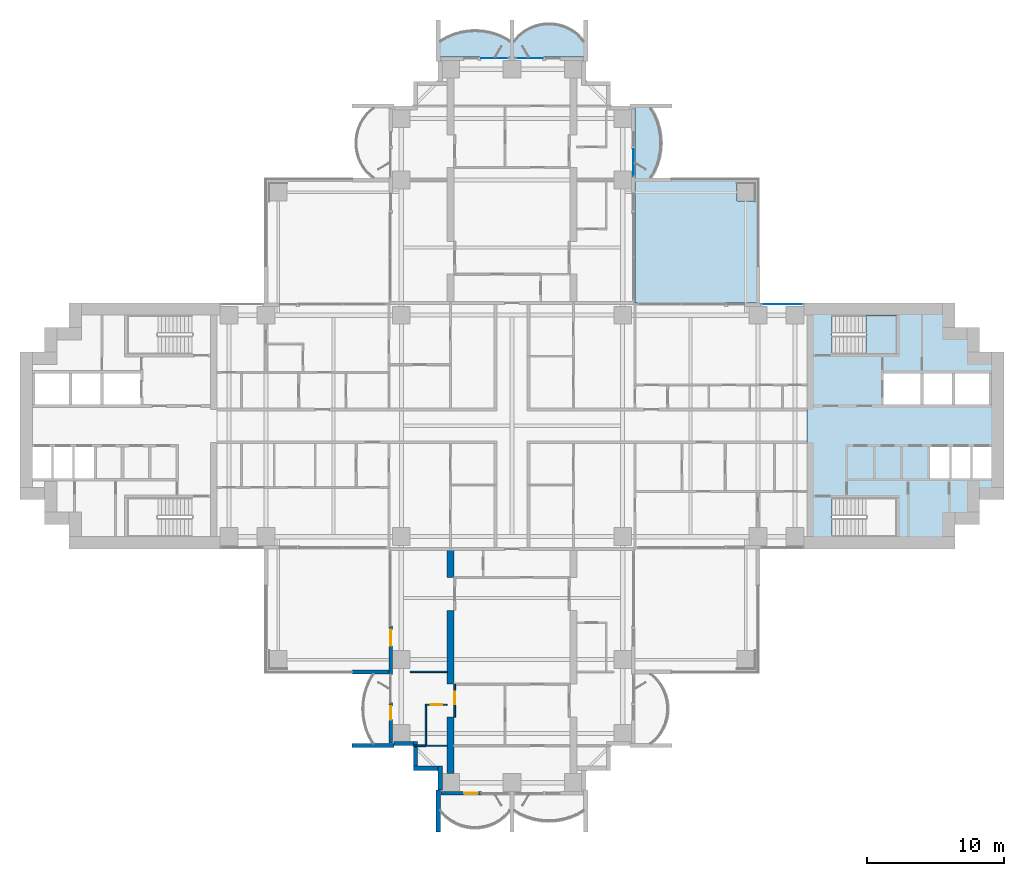
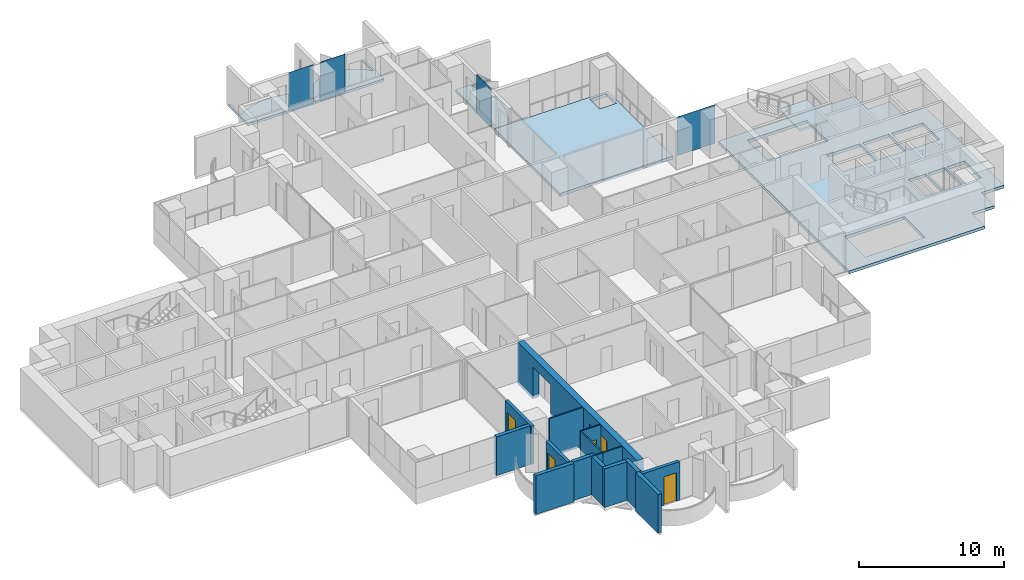
# One storey, part 9 of 21: 17 walls, 6 slabs, 5 doors, 4 plates, 5 openings, 5 elements without a shape of their own.
"""IFC4 building model written with IfcOpenShell, lengths in metres."""

from ifc_helpers import new_model, si_unit, direction, frame, frame_2d, origin, origin_2d, place, context, subcontext, project, spatial, polyline, rectangle, outline, extrude, material, layer, layer_set, material_profile, profile_set, type_object, element, fill, aggregate, save


model = new_model("IFC4")

# Units and contexts
model_context = context("Model", 3, precision=1e-05, world=origin(), true_north=direction((0.0, 1.0)))
body_context = subcontext(model_context, "Body", "Model", "MODEL_VIEW")
ifc_project = project(units=[si_unit("LENGTHUNIT", "METRE"), si_unit("AREAUNIT", "SQUARE_METRE"), si_unit("VOLUMEUNIT", "CUBIC_METRE"), si_unit("PLANEANGLEUNIT", "RADIAN"), si_unit("MASSUNIT", "GRAM", prefix="KILO")], contexts=[model_context])

# Site, building, storey
site_placement = place(None, origin())
site = spatial("IfcSite", under=ifc_project, at=site_placement, CompositionType="ELEMENT")
building_placement = place(site_placement, origin())
building = spatial("IfcBuilding", under=site, at=building_placement, Name="Perihelion Cross Residences", CompositionType="ELEMENT")
storey_placement = place(building_placement, frame((0.0, 0.0, 40.0)))
storey = spatial("IfcBuildingStorey", under=building, at=storey_placement, Name="L06", CompositionType="ELEMENT", Elevation=40.0)

# Slabs
ifc_material_1 = material(Name="Concrete C40/50", Category="concrete")
ifc_layer_1 = layer(ifc_material_1, 0.199951171875)
ifc_layer_set_1 = layer_set([ifc_layer_1], Name="Balcony slab 200")
slab_type_1 = type_object("IfcSlabType", Name="Balcony slab 200", PredefinedType="FLOOR", material=ifc_layer_set_1)
slab_1_placement = place(storey_placement, frame((0.0, 0.0, -0.199951171875)))
element("IfcSlab", 1, at=slab_1_placement, inside=storey, type_object=slab_type_1, Name="Slab BK1 L06 north side east bay 2 balcony", PredefinedType="FLOOR", context=body_context, shape_type="SweptSolid", body=[
    extrude(outline(polyline([(9.0, 18.0), (9.0, 23.39990234375), (11.699951171875, 23.39990234375), (11.699951171875, 23.25), (10.199951171875, 23.25), (10.4853515625, 22.739990234375), (10.694580078125, 22.22998046875), (10.838134765625, 21.719970703125), (10.92236328125, 21.2099609375), (10.949951171875, 20.699951171875), (10.92236328125, 20.18994140625), (10.838134765625, 19.679931640625), (10.694580078125, 19.169921875), (10.4853515625, 18.659912109375), (10.199951171875, 18.14990234375), (11.699951171875, 18.14990234375), (11.699951171875, 18.0), (9.0, 18.0)])), origin(), (0.0, 0.0, 1.0), 0.199951171875),
])
slab_2_placement = place(storey_placement, frame((0.0, 0.0, -0.199951171875)))
element("IfcSlab", 2, at=slab_2_placement, inside=storey, type_object=slab_type_1, Name="Slab BK1 L06 north tip north bay 1 balcony", PredefinedType="FLOOR", context=body_context, shape_type="SweptSolid", body=[
    extrude(outline(polyline([(5.39990234375, 27.0), (0.0, 27.0), (0.0, 29.699951171875), (0.14990234375, 29.699951171875), (0.14990234375, 28.199951171875), (0.542236328125, 28.622314453125), (0.9345703125, 28.924072265625), (1.326904296875, 29.143310546875), (1.71923828125, 29.29736328125), (2.111572265625, 29.39599609375), (2.50390625, 29.444091796875), (2.896240234375, 29.444091796875), (3.28857421875, 29.39599609375), (3.6806640625, 29.29736328125), (4.072998046875, 29.143310546875), (4.46533203125, 28.924072265625), (4.857666015625, 28.622314453125), (5.25, 28.199951171875), (5.25, 29.699951171875), (5.39990234375, 29.699951171875), (5.39990234375, 27.0)])), origin(), (0.0, 0.0, 1.0), 0.199951171875),
])
slab_3_placement = place(storey_placement, frame((0.0, 0.0, -0.199951171875)))
element("IfcSlab", 3, at=slab_3_placement, inside=storey, type_object=slab_type_1, Name="Slab BK1 L06 north tip north bay 2 balcony", PredefinedType="FLOOR", context=body_context, shape_type="SweptSolid", body=[
    extrude(outline(polyline([(0.0, 27.0), (-5.39990234375, 27.0), (-5.39990234375, 29.699951171875), (-5.25, 29.699951171875), (-5.25, 28.199951171875), (-4.739990234375, 28.4853515625), (-4.22998046875, 28.694580078125), (-3.719970703125, 28.838134765625), (-3.2099609375, 28.92236328125), (-2.699951171875, 28.949951171875), (-2.18994140625, 28.92236328125), (-1.679931640625, 28.838134765625), (-1.169921875, 28.694580078125), (-0.659912109375, 28.4853515625), (-0.14990234375, 28.199951171875), (-0.14990234375, 29.699951171875), (0.0, 29.699951171875), (0.0, 27.0)])), origin(), (0.0, 0.0, 1.0), 0.199951171875),
])

# Curtain wall, plate
ifc_material_2 = material(Name="Bronze anodised aluminium, tinted glazing", Category="aluminium")
curtain_wall_type = type_object("IfcCurtainWallType", Name="CW1", PredefinedType="NOTDEFINED", material=ifc_material_2)
curtain_wall_1_placement = place(storey_placement, origin())
curtain_wall_1 = element("IfcCurtainWall", 4, at=curtain_wall_1_placement, inside=storey, type_object=curtain_wall_type, Name="Curtain wall CW1 L06 east side north bay 1", PredefinedType="NOTDEFINED")
ifc_material_3 = material(Name="Tinted laminated glass", Category="glass")
ifc_layer_2 = layer(ifc_material_3, 0.028076171875)
ifc_layer_set_2 = layer_set([ifc_layer_2], Name="CW1 panel")
plate_type = type_object("IfcPlateType", Name="CW1 panel", PredefinedType="CURTAIN_PANEL", material=ifc_layer_set_2)
plate_1_placement = place(storey_placement, frame((19.77490234375, 8.89990234375, 0.0), z_axis=(0.0, 0.0, 1.0), x_axis=(-1.0, 0.0, 0.0)))
plate_1 = element("IfcPlate", 5, at=plate_1_placement, type_object=plate_type, Name="CW1 panel 1", PredefinedType="CURTAIN_PANEL", context=body_context, shape_type="SweptSolid", body=[
    extrude(rectangle(XDim=3.030029296875, YDim=0.028076171875, at=origin_2d()), origin(), (0.0, 0.0, 1.0), 3.25),
])
aggregate(curtain_wall_1, [plate_1])

curtain_wall_2_placement = place(storey_placement, origin())
curtain_wall_2 = element("IfcCurtainWall", 6, at=curtain_wall_2_placement, inside=storey, type_object=curtain_wall_type, Name="Curtain wall CW1 L06 north side east bay 2", PredefinedType="NOTDEFINED")
plate_2_placement = place(storey_placement, frame((8.89990234375, 19.2548828125, 0.0), z_axis=(0.0, 0.0, 1.0), x_axis=(0.0, 1.0, 0.0)))
plate_2 = element("IfcPlate", 7, at=plate_2_placement, type_object=plate_type, Name="CW1 panel 1", PredefinedType="CURTAIN_PANEL", context=body_context, shape_type="SweptSolid", body=[
    extrude(rectangle(XDim=1.989990234375, YDim=0.028076171875, at=origin_2d()), origin(), (0.0, 0.0, 1.0), 3.25),
])
aggregate(curtain_wall_2, [plate_2])

curtain_wall_3_placement = place(storey_placement, origin())
curtain_wall_3 = element("IfcCurtainWall", 8, at=curtain_wall_3_placement, inside=storey, type_object=curtain_wall_type, Name="Curtain wall CW1 L06 north tip north bay 1", PredefinedType="NOTDEFINED")
plate_3_placement = place(storey_placement, frame((1.2548828125, 26.89990234375, 0.0), z_axis=(0.0, 0.0, 1.0), x_axis=(-1.0, 0.0, 0.0)))
plate_3 = element("IfcPlate", 9, at=plate_3_placement, type_object=plate_type, Name="CW1 panel 1", PredefinedType="CURTAIN_PANEL", context=body_context, shape_type="SweptSolid", body=[
    extrude(rectangle(XDim=1.989990234375, YDim=0.028076171875, at=origin_2d()), origin(), (0.0, 0.0, 1.0), 3.25),
])
aggregate(curtain_wall_3, [plate_3])

curtain_wall_4_placement = place(storey_placement, origin())
curtain_wall_4 = element("IfcCurtainWall", 10, at=curtain_wall_4_placement, inside=storey, type_object=curtain_wall_type, Name="Curtain wall CW1 L06 north tip north bay 2", PredefinedType="NOTDEFINED")
plate_4_placement = place(storey_placement, frame((-1.2548828125, 26.89990234375, 0.0), z_axis=(0.0, 0.0, 1.0), x_axis=(-1.0, 0.0, 0.0)))
plate_4 = element("IfcPlate", 11, at=plate_4_placement, type_object=plate_type, Name="CW1 panel 1", PredefinedType="CURTAIN_PANEL", context=body_context, shape_type="SweptSolid", body=[
    extrude(rectangle(XDim=1.989990234375, YDim=0.028076171875, at=origin_2d()), origin(), (0.0, 0.0, 1.0), 3.25),
])
aggregate(curtain_wall_4, [plate_4])

# Slabs
ifc_material_4 = material(Name="Concrete C40/50", Category="concrete")
ifc_layer_3 = layer(ifc_material_4, 0.25)
ifc_layer_set_3 = layer_set([ifc_layer_3], Name="Core floor slab 250")
slab_type_2 = type_object("IfcSlabType", Name="Core floor slab 250", PredefinedType="FLOOR", material=ifc_layer_set_3)
slab_4_placement = place(storey_placement, frame((0.0, 0.0, -0.25)))
element("IfcSlab", 12, at=slab_4_placement, inside=storey, type_object=slab_type_2, Name="East core floor slab", PredefinedType="FLOOR", context=body_context, shape_type="SweptSolid", body=[
    extrude(outline(polyline([(32.39990234375, 7.199951171875), (34.199951171875, 7.199951171875), (34.199951171875, 5.39990234375), (36.0, 5.39990234375), (36.0, -5.39990234375), (34.199951171875, -5.39990234375), (34.199951171875, -7.199951171875), (32.39990234375, -7.199951171875), (32.39990234375, -9.0), (21.60009765625, -9.0), (21.60009765625, 9.0), (32.39990234375, 9.0), (32.39990234375, 7.199951171875)]), holes=[polyline([(23.405029296875, -8.10009765625), (28.14990234375, -8.10009765625), (28.14990234375, -5.25), (23.405029296875, -5.25), (23.405029296875, -8.10009765625)]), polyline([(30.60009765625, -1.550048828125), (30.60009765625, -3.85009765625), (32.0, -3.85009765625), (32.0, -1.550048828125), (30.60009765625, -1.550048828125)]), polyline([(32.14990234375, -1.550048828125), (32.14990234375, -3.85009765625), (33.550048828125, -3.85009765625), (33.550048828125, -1.550048828125), (32.14990234375, -1.550048828125)]), polyline([(33.699951171875, -1.550048828125), (33.699951171875, -3.85009765625), (35.10009765625, -3.85009765625), (35.10009765625, -1.550048828125), (33.699951171875, -1.550048828125)]), polyline([(27.199951171875, 3.85009765625), (27.199951171875, 1.550048828125), (29.89990234375, 1.550048828125), (29.89990234375, 3.85009765625), (27.199951171875, 3.85009765625)]), polyline([(30.10009765625, 3.85009765625), (30.10009765625, 1.550048828125), (32.199951171875, 1.550048828125), (32.199951171875, 3.85009765625), (30.10009765625, 3.85009765625)]), polyline([(32.39990234375, 3.85009765625), (32.39990234375, 1.550048828125), (34.89990234375, 1.550048828125), (34.89990234375, 3.85009765625), (32.39990234375, 3.85009765625)]), polyline([(23.405029296875, 5.25), (28.14990234375, 5.25), (28.14990234375, 8.10009765625), (23.405029296875, 8.10009765625), (23.405029296875, 5.25)])]), origin(), (0.0, 0.0, 1.0), 0.25),
])
ifc_material_5 = material(Name="Concrete C40/50", Category="concrete")
ifc_layer_4 = layer(ifc_material_5, 0.25)
ifc_layer_set_4 = layer_set([ifc_layer_4], Name="Corner terrace slab")
slab_type_3 = type_object("IfcSlabType", Name="Corner terrace slab", PredefinedType="FLOOR", material=ifc_layer_set_4)
slab_5_placement = place(storey_placement, frame((0.0, 0.0, -0.25)))
element("IfcSlab", 13, at=slab_5_placement, inside=storey, type_object=slab_type_3, Name="Slab BK2 L06 pocket north-east", PredefinedType="FLOOR", context=body_context, shape_type="SweptSolid", body=[
    extrude(outline(polyline([(18.0, 9.0), (18.0, 18.0), (9.0, 18.0), (9.0, 9.0), (18.0, 9.0)]), holes=[polyline([(16.449951171875, 16.449951171875), (16.449951171875, 17.7900390625), (17.7900390625, 17.7900390625), (17.7900390625, 16.409912109375), (17.75, 16.409912109375), (17.75, 16.449951171875), (16.449951171875, 16.449951171875)])]), origin(), (0.0, 0.0, 1.0), 0.25),
])

# Stair, slab
ifc_material_6 = material(Name="Concrete C40/50", Category="concrete")
stair_type = type_object("IfcStairType", Name="Exit stair, half-turn", PredefinedType="HALF_TURN_STAIR", material=ifc_material_6)
stair_placement = place(storey_placement, origin())
stair = element("IfcStair", 14, at=stair_placement, inside=storey, type_object=stair_type, Name="L06 East core exit stair 1", PredefinedType="HALF_TURN_STAIR")
ifc_material_7 = material(Name="Concrete C40/50", Category="concrete")
ifc_layer_5 = layer(ifc_material_7, 0.199951171875)
ifc_layer_set_5 = layer_set([ifc_layer_5], Name="Exit stair landing 200")
slab_type_4 = type_object("IfcSlabType", Name="Exit stair landing 200", PredefinedType="LANDING", material=ifc_layer_set_5)
slab_6_placement = place(storey_placement, frame((0.0, 0.0, 1.550048828125)))
slab_6 = element("IfcSlab", 15, at=slab_6_placement, type_object=slab_type_4, Name="ST-E1 landing 1", PredefinedType="LANDING", context=body_context, shape_type="SweptSolid", body=[
    extrude(outline(polyline([(25.919921875, 5.25), (28.14990234375, 5.25), (28.14990234375, 8.10009765625), (25.919921875, 8.10009765625), (25.919921875, 5.25)])), origin(), (0.0, 0.0, 1.0), 0.199951171875),
])
aggregate(stair, [slab_6])

# Wall, opening, door
ifc_material_8 = material(Name="Concrete C30/37, bronze-clad", Category="concrete")
ifc_layer_6 = layer(ifc_material_8, 0.25)
ifc_layer_set_6 = layer_set([ifc_layer_6], Name="Bronze-clad pier wall 250")
wall_type_1 = type_object("IfcWallType", Name="Bronze-clad pier wall 250", PredefinedType="SOLIDWALL", material=ifc_layer_set_6)
wall_1_placement = place(storey_placement, frame((-8.875, -14.64990234375, 0.0), z_axis=(0.0, 0.0, 1.0), x_axis=(0.0, -1.0, 0.0)))
wall_1 = element("IfcWall", 16, at=wall_1_placement, inside=storey, type_object=wall_type_1, Name="Wall FW1 L06 south side west bay 1 pier", PredefinedType="SOLIDWALL", context=body_context, shape_type="SweptSolid", body=[
    extrude(rectangle(XDim=3.550048828125, YDim=0.25, at=frame_2d((1.77490234375, 0.0))), origin(), (0.0, 0.0, 1.0), 3.25),
])
opening_1_placement = place(wall_1_placement, frame((0.25, 0.0, 0.0)))
opening_1 = element("IfcOpeningElement", 17, at=opening_1_placement, cuts=wall_1, Name="Opening L06.E10", PredefinedType="OPENING", context=body_context, shape_type="SweptSolid", body=[
    extrude(rectangle(XDim=1.199951171875, YDim=2.39990234375, at=frame_2d((0.60009765625, 1.199951171875))), frame((0.0, 0.135009765625, 0.0), z_axis=(0.0, -1.0, 0.0), x_axis=(1.0, 0.0, 0.0)), (0.0, 0.0, 1.0), 0.27001953125),
])
ifc_material_9 = material(Name="Bronze anodised aluminium, glazed", Category="aluminium")
door_type_1 = type_object("IfcDoorType", Name="Balcony door 1200 x 2400", OperationType="NOTDEFINED", PredefinedType="DOOR", material=ifc_material_9)
door_1_placement = place(opening_1_placement, origin())
door_1 = element("IfcDoor", 18, at=door_1_placement, inside=storey, type_object=door_type_1, Name="Door L06.E10 south side west bay 1", OperationType="SINGLE_SWING_LEFT", OverallHeight=2.39990234375, OverallWidth=1.199951171875, PredefinedType="DOOR", context=body_context, shape_type="SweptSolid", body=[
    extrude(rectangle(XDim=1.199951171875, YDim=2.39990234375, at=frame_2d((0.60009765625, 1.199951171875))), frame((0.0, 0.02490234375, 0.0), z_axis=(0.0, -1.0, 0.0), x_axis=(1.0, 0.0, 0.0)), (0.0, 0.0, 1.0), 0.050048828125),
])
fill(opening_1, door_1)

wall_2_placement = place(storey_placement, frame((-8.875, -20.25, 0.0), z_axis=(0.0, 0.0, 1.0), x_axis=(0.0, -1.0, 0.0)))
wall_2 = element("IfcWall", 19, at=wall_2_placement, inside=storey, type_object=wall_type_1, Name="Wall FW1 L06 south side west bay 2 pier", PredefinedType="SOLIDWALL", context=body_context, shape_type="SweptSolid", body=[
    extrude(rectangle(XDim=2.949951171875, YDim=0.25, at=frame_2d((1.47509765625, 0.0))), origin(), (0.0, 0.0, 1.0), 3.25),
])
opening_2_placement = place(wall_2_placement, frame((0.25, 0.0, 0.0)))
opening_2 = element("IfcOpeningElement", 20, at=opening_2_placement, cuts=wall_2, Name="Opening L06.E11", PredefinedType="OPENING", context=body_context, shape_type="SweptSolid", body=[
    extrude(rectangle(XDim=1.0, YDim=2.39990234375, at=frame_2d((0.5, 1.199951171875))), frame((0.0, 0.135009765625, 0.0), z_axis=(0.0, -1.0, 0.0), x_axis=(1.0, 0.0, 0.0)), (0.0, 0.0, 1.0), 0.27001953125),
])
ifc_material_10 = material(Name="Bronze anodised aluminium, glazed", Category="aluminium")
door_type_2 = type_object("IfcDoorType", Name="Balcony door 1000 x 2400", OperationType="NOTDEFINED", PredefinedType="DOOR", material=ifc_material_10)
door_2_placement = place(opening_2_placement, origin())
door_2 = element("IfcDoor", 21, at=door_2_placement, inside=storey, type_object=door_type_2, Name="Door L06.E11 south side west bay 2", OperationType="SINGLE_SWING_RIGHT", OverallHeight=2.39990234375, OverallWidth=1.0, PredefinedType="DOOR", context=body_context, shape_type="SweptSolid", body=[
    extrude(rectangle(XDim=1.0, YDim=2.39990234375, at=frame_2d((0.5, 1.199951171875))), frame((0.0, 0.02490234375, 0.0), z_axis=(0.0, -1.0, 0.0), x_axis=(1.0, 0.0, 0.0)), (0.0, 0.0, 1.0), 0.050048828125),
])
fill(opening_2, door_2)

wall_3_placement = place(storey_placement, frame((-5.199951171875, -26.875, 0.0), z_axis=(0.0, 0.0, 1.0), x_axis=(1.0, 0.0, 0.0)))
wall_3 = element("IfcWall", 22, at=wall_3_placement, inside=storey, type_object=wall_type_1, Name="Wall FW1 L06 south tip south bay 1 pier", PredefinedType="SOLIDWALL", context=body_context, shape_type="SweptSolid", body=[
    extrude(rectangle(XDim=2.949951171875, YDim=0.25, at=frame_2d((1.47509765625, 0.0))), origin(), (0.0, 0.0, 1.0), 3.25),
])
opening_3_placement = place(wall_3_placement, frame((1.699951171875, 0.0, 0.0)))
opening_3 = element("IfcOpeningElement", 23, at=opening_3_placement, cuts=wall_3, Name="Opening L06.E12", PredefinedType="OPENING", context=body_context, shape_type="SweptSolid", body=[
    extrude(rectangle(XDim=1.0, YDim=2.39990234375, at=frame_2d((0.5, 1.199951171875))), frame((0.0, 0.135009765625, 0.0), z_axis=(0.0, -1.0, 0.0), x_axis=(1.0, 0.0, 0.0)), (0.0, 0.0, 1.0), 0.27001953125),
])
door_3_placement = place(opening_3_placement, origin())
door_3 = element("IfcDoor", 24, at=door_3_placement, inside=storey, type_object=door_type_2, Name="Door L06.E12 south tip south bay 1", OperationType="SINGLE_SWING_LEFT", OverallHeight=2.39990234375, OverallWidth=1.0, PredefinedType="DOOR", context=body_context, shape_type="SweptSolid", body=[
    extrude(rectangle(XDim=1.0, YDim=2.39990234375, at=frame_2d((0.5, 1.199951171875))), frame((0.0, 0.02490234375, 0.0), z_axis=(0.0, -1.0, 0.0), x_axis=(1.0, 0.0, 0.0)), (0.0, 0.0, 1.0), 0.050048828125),
])
fill(opening_3, door_3)

# Walls
ifc_material_11 = material(Name="Concrete C30/37, bronze-clad", Category="concrete")
ifc_layer_7 = layer(ifc_material_11, 0.300048828125)
ifc_layer_set_7 = layer_set([ifc_layer_7], Name="Bronze-clad serration wall 300")
wall_type_2 = type_object("IfcWallType", Name="Bronze-clad serration wall 300", PredefinedType="SOLIDWALL", material=ifc_layer_set_7)
wall_4_placement = place(storey_placement, frame((-8.64990234375, -23.25, 0.0), z_axis=(0.0, 0.0, 1.0), x_axis=(1.0, 0.0, 0.0)))
element("IfcWall", 25, at=wall_4_placement, inside=storey, type_object=wall_type_2, Name="Wall SR1 L06 south corner south-west 1", PredefinedType="SOLIDWALL", context=body_context, shape_type="SweptSolid", body=[
    extrude(rectangle(XDim=1.449951171875, YDim=0.300048828125, at=frame_2d((0.72509765625, 0.0))), origin(), (0.0, 0.0, 1.0), 3.25),
])
wall_5_placement = place(storey_placement, frame((-7.050048828125, -23.10009765625, 0.0), z_axis=(0.0, 0.0, 1.0), x_axis=(0.0, -1.0, 0.0)))
element("IfcWall", 26, at=wall_5_placement, inside=storey, type_object=wall_type_2, Name="Wall SR1 L06 south corner south-west 2", PredefinedType="SOLIDWALL", context=body_context, shape_type="SweptSolid", body=[
    extrude(rectangle(XDim=1.7998046875, YDim=0.300048828125, at=frame_2d((0.89990234375, 0.0))), origin(), (0.0, 0.0, 1.0), 3.25),
])
wall_6_placement = place(storey_placement, frame((-7.199951171875, -25.050048828125, 0.0), z_axis=(0.0, 0.0, 1.0), x_axis=(1.0, 0.0, 0.0)))
element("IfcWall", 27, at=wall_6_placement, inside=storey, type_object=wall_type_2, Name="Wall SR1 L06 south corner south-west 3", PredefinedType="SOLIDWALL", context=body_context, shape_type="SweptSolid", body=[
    extrude(rectangle(XDim=1.800048828125, YDim=0.300048828125, at=frame_2d((0.89990234375, 0.0))), origin(), (0.0, 0.0, 1.0), 3.25),
])
wall_7_placement = place(storey_placement, frame((-5.25, -24.89990234375, 0.0), z_axis=(0.0, 0.0, 1.0), x_axis=(0.0, -1.0, 0.0)))
element("IfcWall", 28, at=wall_7_placement, inside=storey, type_object=wall_type_2, Name="Wall SR1 L06 south corner south-west 4", PredefinedType="SOLIDWALL", context=body_context, shape_type="SweptSolid", body=[
    extrude(rectangle(XDim=1.75, YDim=0.300048828125, at=frame_2d((0.875, 0.0))), origin(), (0.0, 0.0, 1.0), 3.25),
])

# Wall, opening, door
ifc_material_12 = material(Name="Plasterboard partition")
ifc_layer_8 = layer(ifc_material_12, 0.1201171875)
ifc_layer_set_8 = layer_set([ifc_layer_8], Name="Infill panel 120")
wall_type_3 = type_object("IfcWallType", Name="Infill panel 120", PredefinedType="PARTITIONING", material=ifc_layer_set_8)
wall_8_placement = place(storey_placement, frame((-4.18994140625, -18.89990234375, 0.0), z_axis=(0.0, 0.0, 1.0), x_axis=(0.0, -1.0, 0.0)))
wall_8 = element("IfcWall", 29, at=wall_8_placement, inside=storey, type_object=wall_type_3, Name="Partition L06 WI08", PredefinedType="PARTITIONING", context=body_context, shape_type="SweptSolid", body=[
    extrude(rectangle(XDim=2.400146484375, YDim=0.1201171875, at=frame_2d((1.2001953125, 0.0))), origin(), (0.0, 0.0, 1.0), 2.39990234375),
])
opening_4_placement = place(wall_8_placement, frame((0.550048828125, 0.0, 0.0)))
opening_4 = element("IfcOpeningElement", 30, at=opening_4_placement, cuts=wall_8, Name="Opening L06.A61", PredefinedType="OPENING", context=body_context, shape_type="SweptSolid", body=[
    extrude(rectangle(XDim=0.89990234375, YDim=2.10009765625, at=frame_2d((0.449951171875, 1.050048828125))), frame((0.0, 0.070068359375, 0.0), z_axis=(0.0, -1.0, 0.0), x_axis=(1.0, 0.0, 0.0)), (0.0, 0.0, 1.0), 0.14013671875),
])
ifc_material_13 = material(Name="Timber door leaf", Category="wood")
door_type_3 = type_object("IfcDoorType", Name="Interior room door 900 x 2100", OperationType="SINGLE_SWING_LEFT", PredefinedType="DOOR", material=ifc_material_13)
door_4_placement = place(opening_4_placement, origin())
door_4 = element("IfcDoor", 31, at=door_4_placement, inside=storey, type_object=door_type_3, Name="Door L06.A61", OperationType="SINGLE_SWING_LEFT", OverallHeight=2.10009765625, OverallWidth=0.89990234375, PredefinedType="DOOR", context=body_context, shape_type="SweptSolid", body=[
    extrude(rectangle(XDim=0.89990234375, YDim=2.10009765625, at=frame_2d((0.449951171875, 1.050048828125))), frame((0.0, 0.02490234375, 0.0), z_axis=(0.0, -1.0, 0.0), x_axis=(1.0, 0.0, 0.0)), (0.0, 0.0, 1.0), 0.050048828125),
])
fill(opening_4, door_4)

# Walls
ifc_material_14 = material(Name="Plasterboard partition")
ifc_layer_9 = layer(ifc_material_14, 0.1201171875)
ifc_layer_set_9 = layer_set([ifc_layer_9], Name="Partition wall 120")
wall_type_4 = type_object("IfcWallType", Name="Partition wall 120", PredefinedType="PARTITIONING", material=ifc_layer_set_9)
wall_9_placement = place(storey_placement, frame((-4.75, -18.0, 0.0), z_axis=(0.0, 0.0, 1.0), x_axis=(-1.0, 0.0, 0.0)))
element("IfcWall", 32, at=wall_9_placement, inside=storey, type_object=wall_type_4, Name="Partition L06 W083", PredefinedType="PARTITIONING", context=body_context, shape_type="SweptSolid", body=[
    extrude(rectangle(XDim=2.699951171875, YDim=0.1201171875, at=frame_2d((1.35009765625, 0.0))), origin(), (0.0, 0.0, 1.0), 3.25),
])
wall_10_placement = place(storey_placement, frame((-6.300048828125, -23.39990234375, 0.0), z_axis=(0.0, 0.0, 1.0), x_axis=(-1.0, 0.0, 0.0)))
element("IfcWall", 33, at=wall_10_placement, inside=storey, type_object=wall_type_4, Name="Partition L06 W086", PredefinedType="PARTITIONING", context=body_context, shape_type="SweptSolid", body=[
    extrude(rectangle(XDim=0.820068359375, YDim=0.1201171875, at=frame_2d((0.41015625, 0.0))), origin(), (0.0, 0.0, 1.0), 3.25),
])
ifc_material_15 = material(Name="Precast concrete C50/60", Category="concrete")
ifc_layer_10 = layer(ifc_material_15, 0.300048828125)
ifc_layer_set_10 = layer_set([ifc_layer_10], Name="Precast concrete C50/60 blade wall 300")
wall_type_5 = type_object("IfcWallType", Name="Precast concrete C50/60 blade wall 300", PredefinedType="SOLIDWALL", material=ifc_layer_set_10)
wall_11_placement = place(storey_placement, frame((-8.64990234375, -23.39990234375, 0.0), z_axis=(0.0, 0.0, 1.0), x_axis=(-1.0, 0.0, 0.0)))
element("IfcWall", 34, at=wall_11_placement, inside=storey, type_object=wall_type_5, Name="Wall BL1 L06 no. 6", PredefinedType="SOLIDWALL", context=body_context, shape_type="SweptSolid", body=[
    extrude(rectangle(XDim=3.050048828125, YDim=0.300048828125, at=frame_2d((1.52490234375, 0.0))), origin(), (0.0, 0.0, 1.0), 3.25),
])
wall_12_placement = place(storey_placement, frame((-9.0, -18.0, 0.0), z_axis=(0.0, 0.0, 1.0), x_axis=(-1.0, 0.0, 0.0)))
element("IfcWall", 35, at=wall_12_placement, inside=storey, type_object=wall_type_5, Name="Wall BL1 L06 no. 5", PredefinedType="SOLIDWALL", context=body_context, shape_type="SweptSolid", body=[
    extrude(rectangle(XDim=2.699951171875, YDim=0.300048828125, at=frame_2d((1.35009765625, 0.0))), origin(), (0.0, 0.0, 1.0), 3.25),
])
wall_13_placement = place(storey_placement, frame((-5.39990234375, -26.64990234375, 0.0), z_axis=(0.0, 0.0, 1.0), x_axis=(0.0, -1.0, 0.0)))
element("IfcWall", 36, at=wall_13_placement, inside=storey, type_object=wall_type_5, Name="Wall BL1 L06 no. 3", PredefinedType="SOLIDWALL", context=body_context, shape_type="SweptSolid", body=[
    extrude(rectangle(XDim=3.050048828125, YDim=0.300048828125, at=frame_2d((1.52490234375, 0.0))), origin(), (0.0, 0.0, 1.0), 3.25),
])
ifc_material_16 = material(Name="Concrete C60/75", Category="concrete")
ifc_material_profile = material_profile(ifc_material_16, outline(polyline([(0.0, 0.0), (4.14990234375, 0.0), (4.14990234375, 2.64990234375), (6.550048828125, 2.64990234375), (6.550048828125, 0.0), (11.949951171875, 0.0), (11.949951171875, 2.64990234375), (14.35009765625, 2.64990234375), (14.35009765625, 0.0), (16.449951171875, 0.0), (16.449951171875, 3.5), (0.0, 3.5), (0.0, 0.0)])), Name="Tip spine wall")
ifc_profile_set = profile_set([ifc_material_profile], Name="Concrete C60/75")
wall_type_6 = type_object("IfcWallType", Name="Tip spine wall 500 with 2 door openings 16450 long 3500 high concrete C60/75 hand A", PredefinedType="SHEAR", material=ifc_profile_set)
wall_14_placement = place(storey_placement, frame((-4.75, -25.449951171875, -0.25), z_axis=(1.0, 0.0, 0.0), x_axis=(0.0, 1.0, 0.0)))
element("IfcWall", 37, at=wall_14_placement, inside=storey, type_object=wall_type_6, Name="Shear wall SW24 L06 south west", PredefinedType="SHEAR", context=body_context, shape_type="SweptSolid", body=[
    extrude(outline(polyline([(0.0, 0.0), (4.14990234375, 0.0), (4.14990234375, 2.64990234375), (6.550048828125, 2.64990234375), (6.550048828125, 0.0), (11.949951171875, 0.0), (11.949951171875, 2.64990234375), (14.35009765625, 2.64990234375), (14.35009765625, 0.0), (16.449951171875, 0.0), (16.449951171875, 3.5), (0.0, 3.5), (0.0, 0.0)])), origin(), (0.0, 0.0, 1.0), 0.5),
])

# Wall, opening, door
ifc_material_17 = material(Name="Plasterboard partition")
ifc_layer_11 = layer(ifc_material_17, 0.10009765625)
ifc_layer_set_11 = layer_set([ifc_layer_11], Name="Wet room wall 100")
wall_type_7 = type_object("IfcWallType", Name="Wet room wall 100", PredefinedType="PARTITIONING", material=ifc_layer_set_11)
wall_15_placement = place(storey_placement, frame((-4.75, -20.39990234375, 0.0), z_axis=(0.0, 0.0, 1.0), x_axis=(-1.0, 0.0, 0.0)))
wall_15 = element("IfcWall", 38, at=wall_15_placement, inside=storey, type_object=wall_type_7, Name="Partition L06 W084", PredefinedType="PARTITIONING", context=body_context, shape_type="SweptSolid", body=[
    extrude(rectangle(XDim=1.60009765625, YDim=0.10009765625, at=frame_2d((0.800048828125, 0.0))), origin(), (0.0, 0.0, 1.0), 3.25),
])
opening_5_placement = place(wall_15_placement, frame((0.35009765625, 0.0, 0.0)))
opening_5 = element("IfcOpeningElement", 39, at=opening_5_placement, cuts=wall_15, Name="Opening L06.A49", PredefinedType="OPENING", context=body_context, shape_type="SweptSolid", body=[
    extrude(rectangle(XDim=0.85009765625, YDim=2.10009765625, at=frame_2d((0.425048828125, 1.050048828125))), frame((0.0, 0.06005859375, 0.0), z_axis=(0.0, -1.0, 0.0), x_axis=(1.0, 0.0, 0.0)), (0.0, 0.0, 1.0), 0.1201171875),
])
ifc_material_18 = material(Name="Timber door leaf", Category="wood")
door_type_4 = type_object("IfcDoorType", Name="Interior bathroom door 850 x 2100", OperationType="SINGLE_SWING_LEFT", PredefinedType="DOOR", material=ifc_material_18)
door_5_placement = place(opening_5_placement, origin())
door_5 = element("IfcDoor", 40, at=door_5_placement, inside=storey, type_object=door_type_4, Name="Door L06.A49", OperationType="SINGLE_SWING_LEFT", OverallHeight=2.10009765625, OverallWidth=0.85009765625, PredefinedType="DOOR", context=body_context, shape_type="SweptSolid", body=[
    extrude(rectangle(XDim=0.85009765625, YDim=2.10009765625, at=frame_2d((0.425048828125, 1.050048828125))), frame((0.0, 0.02490234375, 0.0), z_axis=(0.0, -1.0, 0.0), x_axis=(1.0, 0.0, 0.0)), (0.0, 0.0, 1.0), 0.050048828125),
])
fill(opening_5, door_5)

# Walls
wall_16_placement = place(storey_placement, frame((-6.300048828125, -20.449951171875, 0.0), z_axis=(0.0, 0.0, 1.0), x_axis=(0.0, -1.0, 0.0)))
element("IfcWall", 41, at=wall_16_placement, inside=storey, type_object=wall_type_7, Name="Partition L06 W085", PredefinedType="PARTITIONING", context=body_context, shape_type="SweptSolid", body=[
    extrude(rectangle(XDim=2.89013671875, YDim=0.10009765625, at=frame_2d((1.445068359375, 0.0))), origin(), (0.0, 0.0, 1.0), 3.25),
])
wall_17_placement = place(storey_placement, frame((-4.75, -23.39990234375, 0.0), z_axis=(0.0, 0.0, 1.0), x_axis=(-1.0, 0.0, 0.0)))
element("IfcWall", 42, at=wall_17_placement, inside=storey, type_object=wall_type_7, Name="Partition L06 W087", PredefinedType="PARTITIONING", context=body_context, shape_type="SweptSolid", body=[
    extrude(rectangle(XDim=1.550048828125, YDim=0.10009765625, at=frame_2d((0.77490234375, 0.0))), origin(), (0.0, 0.0, 1.0), 3.25),
])

save(model, "model.ifc")
